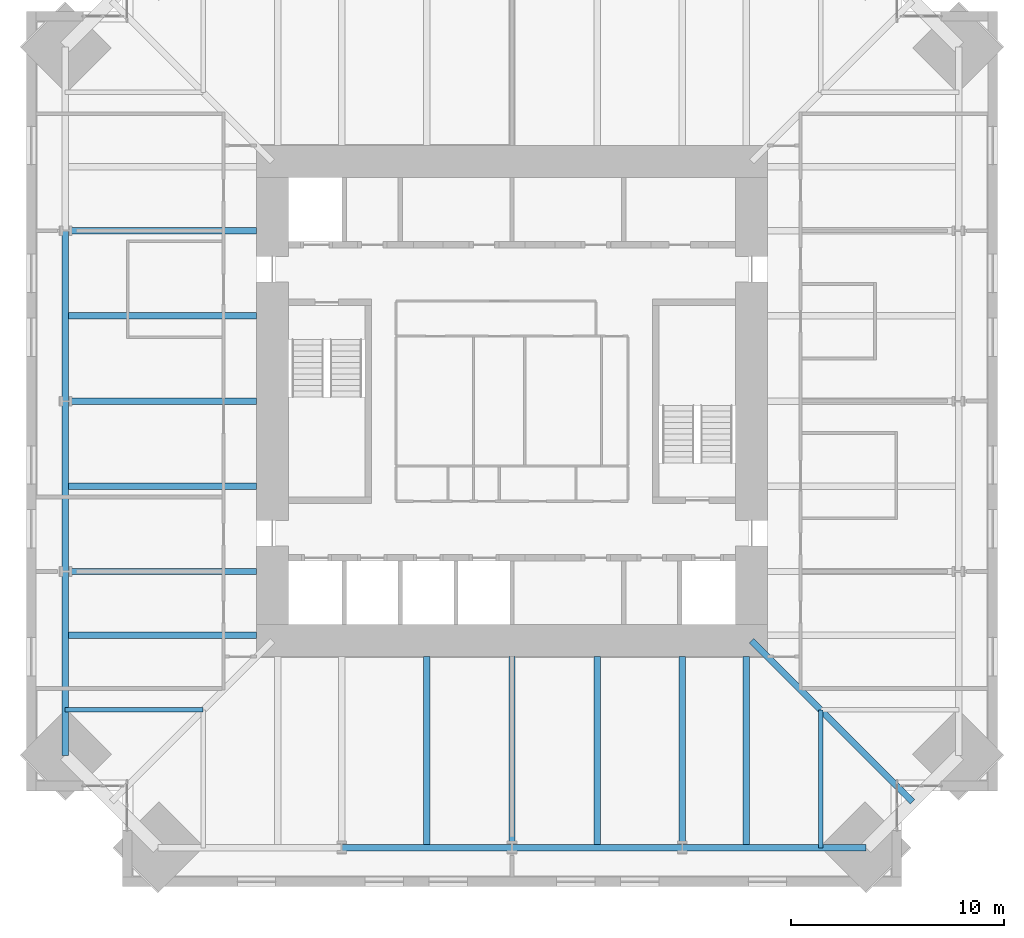
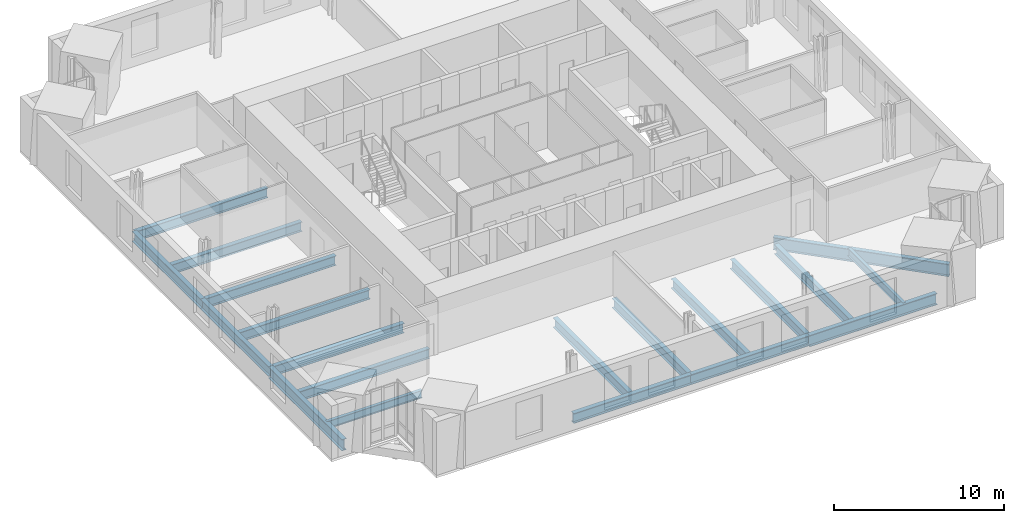
# One storey, part 3 of 15: 20 beams.
"""IFC4 building model written with IfcOpenShell, lengths in metres."""

from ifc_helpers import new_model, si_unit, direction, frame, origin, origin_2d, place, context, subcontext, project, spatial, i_section, extrude, material, material_profile, profile_set, type_object, element, save


model = new_model("IFC4")

# Units and contexts
model_context = context("Model", 3, precision=1e-05, world=origin(), true_north=direction((0.0, 1.0)))
body_context = subcontext(model_context, "Body", "Model", "MODEL_VIEW")
ifc_project = project(units=[si_unit("LENGTHUNIT", "METRE"), si_unit("AREAUNIT", "SQUARE_METRE"), si_unit("VOLUMEUNIT", "CUBIC_METRE"), si_unit("PLANEANGLEUNIT", "RADIAN"), si_unit("MASSUNIT", "GRAM", prefix="KILO")], contexts=[model_context])

# Site, building, storey
site_placement = place(None, origin())
site = spatial("IfcSite", under=ifc_project, at=site_placement, CompositionType="ELEMENT")
building_placement = place(site_placement, origin())
building = spatial("IfcBuilding", under=site, at=building_placement, Name="Peilmerk Tower", CompositionType="ELEMENT")
storey_placement = place(building_placement, frame((0.0, 0.0, 245.800048828125)))
storey = spatial("IfcBuildingStorey", under=building, at=storey_placement, Name="L54", CompositionType="ELEMENT", Elevation=245.800048828125)

# Beams
ifc_material = material(Name="Steel S355", Category="steel")
ifc_material_profile_1 = material_profile(ifc_material, i_section(OverallWidth=0.2099609375, OverallDepth=0.550048828125, WebThickness=0.010986328125, FlangeThickness=0.01708984375, at=origin_2d()), Name="IPE 550")
ifc_profile_set_1 = profile_set([ifc_material_profile_1], Name="Steel S355")
beam_type_1 = type_object("IfcBeamType", Name="B12 IPE 550 floor beam", PredefinedType="BEAM", material=ifc_profile_set_1)
for number, where, z_axis, x_axis, name in (
    (1, (14.5, -14.5, -0.445068359375), (0.0, -1.0, 0.0), (1.0, 0.0, 0.0), "Floor beam L54"),
    (2, (-14.5, -14.5, -0.445068359375), (-1.0, 0.0, 0.0), (0.0, -1.0, 0.0), "Floor beam L54"),
):
    element("IfcBeam", number, at=place(storey_placement, frame(where, z_axis=z_axis, x_axis=x_axis)), inside=storey, type_object=beam_type_1, Name=name, PredefinedType="BEAM", context=body_context, shape_type="SweptSolid", body=[
        extrude(i_section(OverallWidth=0.2099609375, OverallDepth=0.550048828125, WebThickness=0.010986328125, FlangeThickness=0.01708984375, at=origin_2d()), origin(), (0.0, 0.0, 1.0), 6.485595703125),
    ])
ifc_material_profile_2 = material_profile(ifc_material, i_section(OverallWidth=0.302978515625, OverallDepth=0.81396484375, WebThickness=0.02099609375, FlangeThickness=0.0400390625, at=origin_2d()), Name="HEM 800")
ifc_profile_set_2 = profile_set([ifc_material_profile_2], Name="Steel S355")
beam_type_2 = type_object("IfcBeamType", Name="B15 HEM 800 edge beam", PredefinedType="SPANDREL", material=ifc_profile_set_2)
for number, where, z_axis, x_axis, name in (
    (3, (8.0, -20.985595703125, -0.5771484375), (1.0, 0.0, 0.0), (0.0, 1.0, 0.0), "Edge beam L54"),
    (4, (-20.985595703125, -8.0, -0.5771484375), (0.0, -1.0, 0.0), (1.0, 0.0, 0.0), "Edge beam L54"),
):
    element("IfcBeam", number, at=place(storey_placement, frame(where, z_axis=z_axis, x_axis=x_axis)), inside=storey, type_object=beam_type_2, Name=name, PredefinedType="SPANDREL", context=body_context, shape_type="SweptSolid", body=[
        extrude(i_section(OverallWidth=0.302978515625, OverallDepth=0.81396484375, WebThickness=0.02099609375, FlangeThickness=0.0400390625, at=origin_2d()), origin(), (0.0, 0.0, 1.0), 8.635498046875),
    ])
ifc_material_profile_3 = material_profile(ifc_material, i_section(OverallWidth=0.300048828125, OverallDepth=0.68994140625, WebThickness=0.014404296875, FlangeThickness=0.027099609375, at=origin_2d()), Name="HEA 700")
ifc_profile_set_3 = profile_set([ifc_material_profile_3], Name="Steel S355")
beam_type_3 = type_object("IfcBeamType", Name="B16 HEA 700 floor beam", PredefinedType="BEAM", material=ifc_profile_set_3)
for number, where, z_axis, x_axis, name in (
    (5, (-4.0, -12.0, -0.51513671875), (0.0, -1.0, 0.0), (1.0, 0.0, 0.0), "Floor beam L54"),
    (6, (0.0, -12.0, -0.51513671875), (0.0, -1.0, 0.0), (1.0, 0.0, 0.0), "Floor beam L54"),
    (7, (4.0, -12.0, -0.51513671875), (0.0, -1.0, 0.0), (1.0, 0.0, 0.0), "Floor beam L54"),
    (8, (8.0, -12.0, -0.51513671875), (0.0, -1.0, 0.0), (1.0, 0.0, 0.0), "Floor beam L54"),
    (9, (11.0, -12.0, -0.51513671875), (0.0, -1.0, 0.0), (1.0, 0.0, 0.0), "Floor beam L54"),
    (10, (-12.0, 8.0, -0.51513671875), (-1.0, 0.0, 0.0), (0.0, -1.0, 0.0), "Floor beam L54"),
    (11, (-12.0, 4.0, -0.51513671875), (-1.0, 0.0, 0.0), (0.0, -1.0, 0.0), "Floor beam L54"),
    (12, (-12.0, 0.0, -0.51513671875), (-1.0, 0.0, 0.0), (0.0, -1.0, 0.0), "Floor beam L54"),
    (13, (-12.0, -4.0, -0.51513671875), (-1.0, 0.0, 0.0), (0.0, -1.0, 0.0), "Floor beam L54"),
    (14, (-12.0, -8.0, -0.51513671875), (-1.0, 0.0, 0.0), (0.0, -1.0, 0.0), "Floor beam L54"),
    (15, (-12.0, -11.0, -0.51513671875), (-1.0, 0.0, 0.0), (0.0, -1.0, 0.0), "Floor beam L54"),
):
    element("IfcBeam", number, at=place(storey_placement, frame(where, z_axis=z_axis, x_axis=x_axis)), inside=storey, type_object=beam_type_3, Name=name, PredefinedType="BEAM", context=body_context, shape_type="SweptSolid", body=[
        extrude(i_section(OverallWidth=0.300048828125, OverallDepth=0.68994140625, WebThickness=0.014404296875, FlangeThickness=0.027099609375, at=origin_2d()), origin(), (0.0, 0.0, 1.0), 8.985595703125),
    ])
ifc_material_profile_4 = material_profile(ifc_material, i_section(OverallWidth=0.303955078125, OverallDepth=0.716064453125, WebThickness=0.02099609375, FlangeThickness=0.0400390625, at=origin_2d()), Name="HEM 700")
ifc_profile_set_4 = profile_set([ifc_material_profile_4], Name="Steel S355")
beam_type_4 = type_object("IfcBeamType", Name="B30 HEM 700 edge beam", PredefinedType="SPANDREL", material=ifc_profile_set_4)
for number, where, z_axis, x_axis, name in (
    (16, (-8.0, -20.985595703125, -0.528076171875), (1.0, 0.0, 0.0), (0.0, 1.0, 0.0), "Edge beam L54"),
    (17, (0.0, -20.985595703125, -0.528076171875), (1.0, 0.0, 0.0), (0.0, 1.0, 0.0), "Edge beam L54"),
    (18, (-20.985595703125, 8.0, -0.528076171875), (0.0, -1.0, 0.0), (1.0, 0.0, 0.0), "Edge beam L54"),
    (19, (-20.985595703125, 0.0, -0.528076171875), (0.0, -1.0, 0.0), (1.0, 0.0, 0.0), "Edge beam L54"),
):
    element("IfcBeam", number, at=place(storey_placement, frame(where, z_axis=z_axis, x_axis=x_axis)), inside=storey, type_object=beam_type_4, Name=name, PredefinedType="SPANDREL", context=body_context, shape_type="SweptSolid", body=[
        extrude(i_section(OverallWidth=0.303955078125, OverallDepth=0.716064453125, WebThickness=0.02099609375, FlangeThickness=0.0400390625, at=origin_2d()), origin(), (0.0, 0.0, 1.0), 8.0),
    ])
ifc_material_profile_5 = material_profile(ifc_material, i_section(OverallWidth=0.300048828125, OverallDepth=0.889892578125, WebThickness=0.01611328125, FlangeThickness=0.030029296875, at=origin_2d()), Name="HEA 900")
ifc_profile_set_5 = profile_set([ifc_material_profile_5], Name="Steel S355")
beam_type_5 = type_object("IfcBeamType", Name="B4 HEA 900 floor beam", PredefinedType="BEAM", material=ifc_profile_set_5)
beam_placement = place(storey_placement, frame((11.25, -11.25, -0.614990234375), z_axis=(0.707106781187, -0.707106781187, 0.0), x_axis=(0.707106781187, 0.707106781187, 0.0)))
element("IfcBeam", 20, at=beam_placement, inside=storey, type_object=beam_type_5, Name="Corner girder L54", PredefinedType="BEAM", context=body_context, shape_type="SweptSolid", body=[
    extrude(i_section(OverallWidth=0.300048828125, OverallDepth=0.889892578125, WebThickness=0.01611328125, FlangeThickness=0.030029296875, at=origin_2d()), origin(), (0.0, 0.0, 1.0), 10.692138671875),
])

save(model, "model.ifc")
